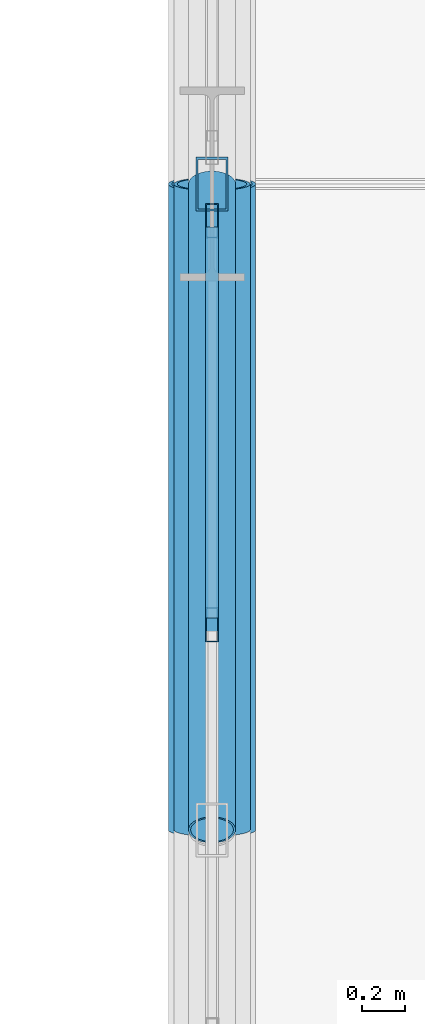
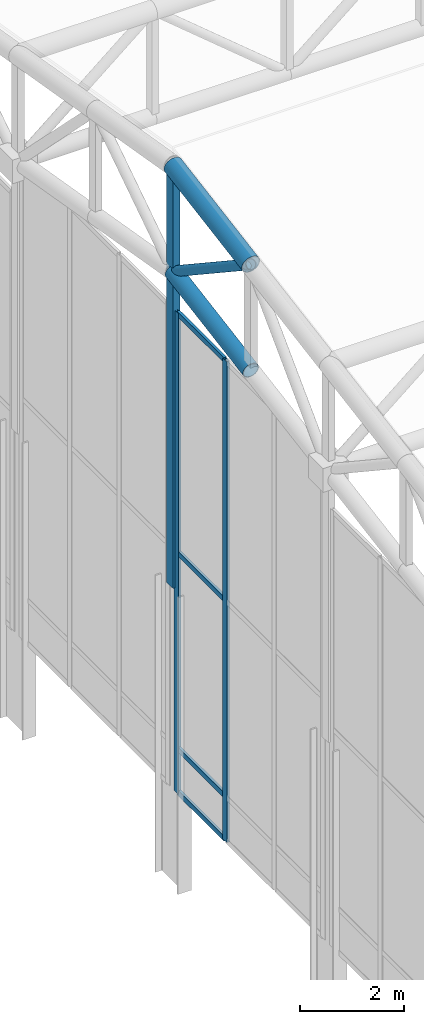
# One storey, part 84 of 239: 10 members, 1 element without a shape of its own.
"""IFC4 building model written with IfcOpenShell, lengths in metres."""

from ifc_helpers import new_model, si_unit, direction, frame, origin, origin_2d, place, context, subcontext, project, spatial, hollow_rectangle, hollow_circle, extrude, material, material_profile, profile_set, type_object, element, aggregate, save


model = new_model("IFC4")

# Units and contexts
model_context = context("Model", 3, precision=1e-05, world=origin(), true_north=direction((0.0, 1.0)))
body_context = subcontext(model_context, "Body", "Model", "MODEL_VIEW")
ifc_project = project(units=[si_unit("LENGTHUNIT", "METRE"), si_unit("AREAUNIT", "SQUARE_METRE"), si_unit("VOLUMEUNIT", "CUBIC_METRE"), si_unit("PLANEANGLEUNIT", "RADIAN"), si_unit("MASSUNIT", "GRAM", prefix="KILO")], contexts=[model_context])

# Site, building, storey
site_placement = place(None, origin())
site = spatial("IfcSite", under=ifc_project, at=site_placement, CompositionType="ELEMENT")
building_placement = place(site_placement, origin())
building = spatial("IfcBuilding", under=site, at=building_placement, Name="Kaldris Quays Convention Centre", CompositionType="ELEMENT")
storey_placement = place(building_placement, frame((0.0, 0.0, 11.39990234375)))
storey = spatial("IfcBuildingStorey", under=building, at=storey_placement, Name="L02", CompositionType="ELEMENT", Elevation=11.39990234375)

# Curtain wall, members
ifc_material_1 = material(Name="Anodized aluminium AW-6060 and triple glazing", Category="aluminium")
curtain_wall_type = type_object("IfcCurtainWallType", Name="UNITISED CURTAIN WALL CW03", PredefinedType="NOTDEFINED", material=ifc_material_1)
curtain_wall_placement = place(storey_placement, origin())
curtain_wall = element("IfcCurtainWall", 1, at=curtain_wall_placement, inside=storey, type_object=curtain_wall_type, Name="L02 Unitised Curtain Wall CW03 219", PredefinedType="NOTDEFINED")
ifc_material_2 = material(Name="Anodized aluminium AW-6060", Category="aluminium")
ifc_material_profile_1 = material_profile(ifc_material_2, hollow_rectangle(XDim=0.06005859375, YDim=0.159912109375, WallThickness=0.00390625, at=origin_2d()), Name="RHS 160x60x4")
ifc_profile_set_1 = profile_set([ifc_material_profile_1], Name="Anodized aluminium AW-6060")
member_type_1 = type_object("IfcMemberType", Name="CURTAIN MULLION CWM1", PredefinedType="MULLION", material=ifc_profile_set_1)
member_1_placement = place(storey_placement, frame((20.0, 95.953369140625, 2.195068359375), z_axis=(0.0, 0.0, 1.0), x_axis=(-1.0, 0.0, 0.0)))
member_1 = element("IfcMember", 2, at=member_1_placement, type_object=member_type_1, Name="CW03 mullion 3", PredefinedType="MULLION", context=body_context, shape_type="SweptSolid", body=[
    extrude(hollow_rectangle(XDim=0.06005859375, YDim=0.159912109375, WallThickness=0.00390625, at=origin_2d()), origin(), (0.0, 0.0, 1.0), 11.341064453125),
])
member_2_placement = place(storey_placement, frame((20.0, 97.830078125, 2.195068359375), z_axis=(0.0, 0.0, 1.0), x_axis=(-1.0, 0.0, 0.0)))
member_2 = element("IfcMember", 3, at=member_2_placement, type_object=member_type_1, Name="CW03 mullion 4", PredefinedType="MULLION", context=body_context, shape_type="SweptSolid", body=[
    extrude(hollow_rectangle(XDim=0.06005859375, YDim=0.159912109375, WallThickness=0.00390625, at=origin_2d()), origin(), (0.0, 0.0, 1.0), 11.341064453125),
])
ifc_material_profile_2 = material_profile(ifc_material_2, hollow_rectangle(XDim=0.06005859375, YDim=0.1201171875, WallThickness=0.00390625, at=origin_2d()), Name="RHS 120x60x4")
ifc_profile_set_2 = profile_set([ifc_material_profile_2], Name="Anodized aluminium AW-6060")
member_type_2 = type_object("IfcMemberType", Name="CURTAIN TRANSOM CWT1", PredefinedType="USERDEFINED", material=ifc_profile_set_2)
member_3_placement = place(storey_placement, frame((20.0, 95.9833984375, 2.22509765625), z_axis=(0.0, 1.0, 0.0), x_axis=(-1.0, 0.0, 0.0)))
member_3 = element("IfcMember", 4, at=member_3_placement, type_object=member_type_2, Name="CW03 transom 3.1", ObjectType="TRANSOM", PredefinedType="USERDEFINED", context=body_context, shape_type="SweptSolid", body=[
    extrude(hollow_rectangle(XDim=0.06005859375, YDim=0.1201171875, WallThickness=0.00390625, at=origin_2d()), origin(), (0.0, 0.0, 1.0), 1.816650390625),
])
member_4_placement = place(storey_placement, frame((20.0, 95.9833984375, 3.2451171875), z_axis=(0.0, 1.0, 0.0), x_axis=(-1.0, 0.0, 0.0)))
member_4 = element("IfcMember", 5, at=member_4_placement, type_object=member_type_2, Name="CW03 transom 3.2", ObjectType="TRANSOM", PredefinedType="USERDEFINED", context=body_context, shape_type="SweptSolid", body=[
    extrude(hollow_rectangle(XDim=0.06005859375, YDim=0.1201171875, WallThickness=0.00390625, at=origin_2d()), origin(), (0.0, 0.0, 1.0), 1.816650390625),
])
member_5_placement = place(storey_placement, frame((20.0, 95.9833984375, 7.864990234375), z_axis=(0.0, 1.0, 0.0), x_axis=(-1.0, 0.0, 0.0)))
member_5 = element("IfcMember", 6, at=member_5_placement, type_object=member_type_2, Name="CW03 transom 3.3", ObjectType="TRANSOM", PredefinedType="USERDEFINED", context=body_context, shape_type="SweptSolid", body=[
    extrude(hollow_rectangle(XDim=0.06005859375, YDim=0.1201171875, WallThickness=0.00390625, at=origin_2d()), origin(), (0.0, 0.0, 1.0), 1.816650390625),
])
member_6_placement = place(storey_placement, frame((20.0, 95.9833984375, 13.506103515625), z_axis=(0.0, 1.0, 0.0), x_axis=(-1.0, 0.0, 0.0)))
member_6 = element("IfcMember", 7, at=member_6_placement, type_object=member_type_2, Name="CW03 transom 3.4", ObjectType="TRANSOM", PredefinedType="USERDEFINED", context=body_context, shape_type="SweptSolid", body=[
    extrude(hollow_rectangle(XDim=0.06005859375, YDim=0.1201171875, WallThickness=0.00390625, at=origin_2d()), origin(), (0.0, 0.0, 1.0), 1.816650390625),
])
aggregate(curtain_wall, [member_1, member_2, member_3, member_4, member_5, member_6])

# Members
ifc_material_3 = material(Name="Steel S355J2H", Category="steel")
ifc_material_profile_3 = material_profile(ifc_material_3, hollow_circle(Radius=0.203125, WallThickness=0.01611328125, at=origin_2d()), Name="CHS 406.4x16")
ifc_profile_set_3 = profile_set([ifc_material_profile_3], Name="Steel S355J2H")
member_type_3 = type_object("IfcMemberType", Name="STRUCTURAL MEMBER SC01", PredefinedType="CHORD", material=ifc_profile_set_3)
member_7_placement = place(storey_placement, frame((20.0, 95.0, 16.357666015625), z_axis=(0.0, 0.98562912375, 0.168923741424), x_axis=(-1.0, 0.0, 0.0)))
element("IfcMember", 8, at=member_7_placement, inside=storey, type_object=member_type_3, Name="SF-V1 Top Chord Y 350", PredefinedType="CHORD", context=body_context, shape_type="SweptSolid", body=[
    extrude(hollow_circle(Radius=0.203125, WallThickness=0.01611328125, at=origin_2d()), origin(), (0.0, 0.0, 1.0), 3.043701171875),
])
ifc_material_profile_4 = material_profile(ifc_material_3, hollow_circle(Radius=0.177734375, WallThickness=0.01611328125, at=origin_2d()), Name="CHS 355.6x16")
ifc_profile_set_4 = profile_set([ifc_material_profile_4], Name="Steel S355J2H")
member_type_4 = type_object("IfcMemberType", Name="STRUCTURAL MEMBER SC02", PredefinedType="CHORD", material=ifc_profile_set_4)
member_8_placement = place(storey_placement, frame((20.0, 95.0, 13.857666015625), z_axis=(0.0, 0.98562912375, 0.168923741424), x_axis=(-1.0, 0.0, 0.0)))
element("IfcMember", 9, at=member_8_placement, inside=storey, type_object=member_type_4, Name="SF-V1 Bottom Chord Y 350", PredefinedType="CHORD", context=body_context, shape_type="SweptSolid", body=[
    extrude(hollow_circle(Radius=0.177734375, WallThickness=0.01611328125, at=origin_2d()), origin(), (0.0, 0.0, 1.0), 3.043701171875),
])
ifc_material_profile_5 = material_profile(ifc_material_3, hollow_circle(Radius=0.109619140625, WallThickness=0.010009765625, at=origin_2d()), Name="CHS 219.1x10")
ifc_profile_set_5 = profile_set([ifc_material_profile_5], Name="Steel S355J2H")
member_type_5 = type_object("IfcMemberType", Name="STRUCTURAL MEMBER SWB1", PredefinedType="BRACE", material=ifc_profile_set_5)
member_9_placement = place(storey_placement, frame((20.0, 98.0, 14.371826171875), z_axis=(0.0, -0.833862389808, 0.551972385962), x_axis=(1.0, 0.0, 0.0)))
element("IfcMember", 10, at=member_9_placement, inside=storey, type_object=member_type_5, Name="SF-V1 Web Diagonal Y 350", PredefinedType="BRACE", context=body_context, shape_type="SweptSolid", body=[
    extrude(hollow_circle(Radius=0.109619140625, WallThickness=0.010009765625, at=origin_2d()), origin(), (0.0, 0.0, 1.0), 3.59765625),
])
ifc_material_profile_6 = material_profile(ifc_material_3, hollow_rectangle(XDim=0.14990234375, YDim=0.25, WallThickness=0.010009765625, at=origin_2d()), Name="RHS 250x150x10")
ifc_profile_set_6 = profile_set([ifc_material_profile_6], Name="Steel S355J2H")
member_type_6 = type_object("IfcMemberType", Name="STRUCTURAL MEMBER TTV1", PredefinedType="POST", material=ifc_profile_set_6)
member_10_placement = place(storey_placement, frame((20.0, 98.0, 6.994140625), z_axis=(0.0, 0.0, 1.0), x_axis=(1.0, 0.0, 0.0)))
element("IfcMember", 11, at=member_10_placement, inside=storey, type_object=member_type_6, Name="SF-V1 Space-Frame Post 15", PredefinedType="POST", context=body_context, shape_type="SweptSolid", body=[
    extrude(hollow_rectangle(XDim=0.14990234375, YDim=0.25, WallThickness=0.010009765625, at=origin_2d()), origin(), (0.0, 0.0, 1.0), 9.877685546875),
])

save(model, "model.ifc")
